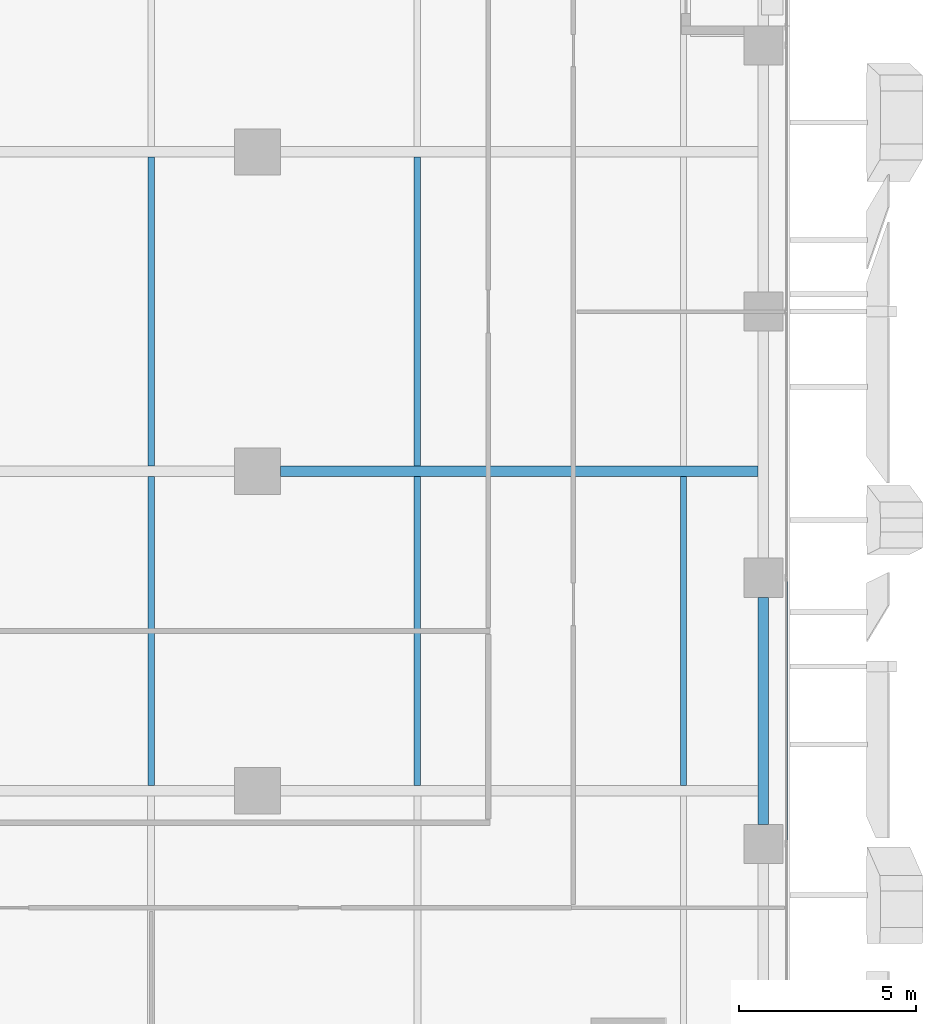
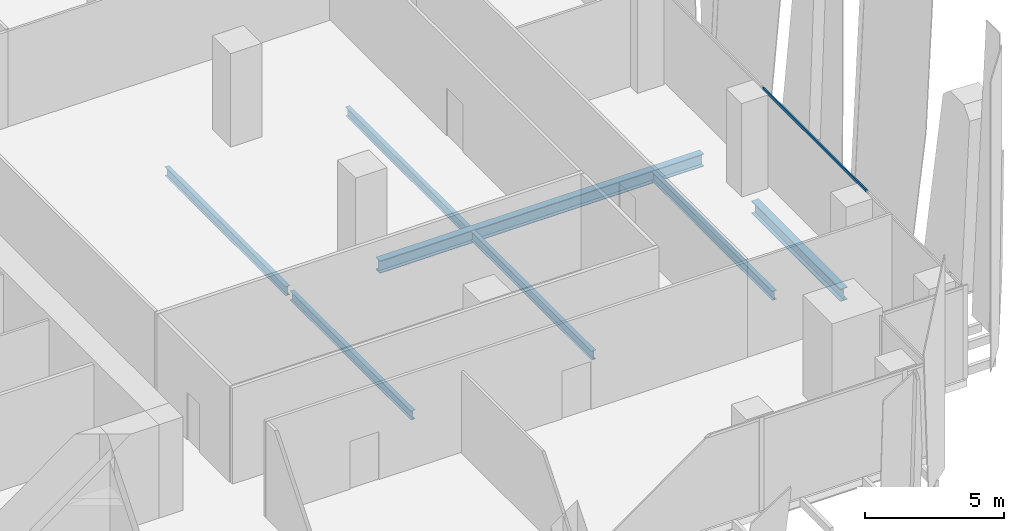
# One storey, part 10 of 35: 7 beams, 1 member, 1 element without a shape of its own.
"""IFC4 building model written with IfcOpenShell, lengths in metres."""

from ifc_helpers import new_model, si_unit, direction, frame, origin, origin_2d, place, context, subcontext, project, spatial, hollow_rectangle, i_section, extrude, source, transform, mapped, material, material_profile, profile_set, type_object, element, aggregate, save


model = new_model("IFC4")

# Units and contexts
model_context = context("Model", 3, precision=1e-05, world=origin(), true_north=direction((0.0, 1.0)))
body_context = subcontext(model_context, "Body", "Model", "MODEL_VIEW")
ifc_project = project(units=[si_unit("LENGTHUNIT", "METRE"), si_unit("AREAUNIT", "SQUARE_METRE"), si_unit("VOLUMEUNIT", "CUBIC_METRE"), si_unit("PLANEANGLEUNIT", "RADIAN"), si_unit("MASSUNIT", "GRAM", prefix="KILO")], contexts=[model_context])

# Site, building, storey
site_placement = place(None, origin())
site = spatial("IfcSite", under=ifc_project, at=site_placement, CompositionType="ELEMENT")
building_placement = place(site_placement, origin())
building = spatial("IfcBuilding", under=site, at=building_placement, Name="Khomas Fold Tower", CompositionType="ELEMENT")
storey_placement = place(building_placement, frame((0.0, 0.0, 127.89990234375)))
storey = spatial("IfcBuildingStorey", under=building, at=storey_placement, Name="L27", CompositionType="ELEMENT", Elevation=127.89990234375)

# Beams
ifc_material_1 = material(Name="Steel S355", Category="steel")
ifc_material_profile_1 = material_profile(ifc_material_1, i_section(OverallWidth=0.179931640625, OverallDepth=0.39990234375, WebThickness=0.008544921875, FlangeThickness=0.013427734375, at=origin_2d()), Name="IPE 400")
ifc_profile_set_1 = profile_set([ifc_material_profile_1], Name="Steel S355")
beam_type_1 = type_object("IfcBeamType", Name="IPE 400 beam JB3", PredefinedType="BEAM", material=ifc_profile_set_1)
shared_shape_1 = source(origin(), body_context, "Body", "SweptSolid", [
    extrude(i_section(OverallWidth=0.179931640625, OverallDepth=0.39990234375, WebThickness=0.008544921875, FlangeThickness=0.013427734375, at=origin_2d()), origin(), (0.0, 0.0, 1.0), 8.7001953125),
])
for number, where, z_axis, x_axis, name in (
    (1, (34.5, 13.64990234375, -0.5), (0.0, 1.0, 0.0), (-1.0, 0.0, 0.0), "JB3"),
    (2, (34.5, 22.64990234375, -0.5), (0.0, 1.0, 0.0), (-1.0, 0.0, 0.0), "JB3"),
    (3, (42.0, 13.64990234375, -0.5), (0.0, 1.0, 0.0), (-1.0, 0.0, 0.0), "JB3"),
    (4, (42.0, 22.64990234375, -0.5), (0.0, 1.0, 0.0), (-1.0, 0.0, 0.0), "JB3"),
    (5, (49.5, 13.64990234375, -0.5), (0.0, 1.0, 0.0), (-1.0, 0.0, 0.0), "JB3"),
):
    element("IfcBeam", number, at=place(storey_placement, frame(where, z_axis=z_axis, x_axis=x_axis)), inside=storey, type_object=beam_type_1, Name=name, PredefinedType="BEAM", context=body_context, shape_type="MappedRepresentation", body=[
        mapped(shared_shape_1, transform((0.0, 0.0, 0.0))),
    ])
ifc_material_2 = material(Name="Steel S355", Category="steel")
ifc_material_profile_2 = material_profile(ifc_material_2, i_section(OverallWidth=0.300048828125, OverallDepth=0.550048828125, WebThickness=0.014892578125, FlangeThickness=0.029052734375, at=origin_2d()), Name="HE 550 B")
ifc_profile_set_2 = profile_set([ifc_material_profile_2], Name="Steel S355")
beam_type_2 = type_object("IfcBeamType", Name="HE 550 B spandrel SB2", PredefinedType="SPANDREL", material=ifc_profile_set_2)
shared_shape_2 = source(origin(), body_context, "Body", "SweptSolid", [
    extrude(i_section(OverallWidth=0.300048828125, OverallDepth=0.550048828125, WebThickness=0.014892578125, FlangeThickness=0.029052734375, at=origin_2d()), origin(), (0.0, 0.0, 1.0), 6.39990234375),
])
beam_1_placement = place(storey_placement, frame((51.75, 12.550048828125, -0.574951171875), z_axis=(0.0, 1.0, 0.0), x_axis=(-1.0, 0.0, 0.0)))
element("IfcBeam", 6, at=beam_1_placement, inside=storey, type_object=beam_type_2, Name="SB2", PredefinedType="SPANDREL", context=body_context, shape_type="MappedRepresentation", body=[
    mapped(shared_shape_2, transform((0.0, 0.0, 0.0))),
])
ifc_material_3 = material(Name="Steel S355", Category="steel")
ifc_material_profile_3 = material_profile(ifc_material_3, i_section(OverallWidth=0.300048828125, OverallDepth=0.550048828125, WebThickness=0.014892578125, FlangeThickness=0.029052734375, at=origin_2d()), Name="HE 550 B")
ifc_profile_set_3 = profile_set([ifc_material_profile_3], Name="Steel S355")
beam_type_3 = type_object("IfcBeamType", Name="HE 550 B beam GB4", PredefinedType="BEAM", material=ifc_profile_set_3)
shared_shape_3 = source(origin(), body_context, "Body", "SweptSolid", [
    extrude(i_section(OverallWidth=0.300048828125, OverallDepth=0.550048828125, WebThickness=0.014892578125, FlangeThickness=0.029052734375, at=origin_2d()), origin(), (0.0, 0.0, 1.0), 13.4501953125),
])
beam_2_placement = place(storey_placement, frame((38.14990234375, 22.5, -0.574951171875), z_axis=(1.0, 0.0, 0.0), x_axis=(0.0, 1.0, 0.0)))
element("IfcBeam", 7, at=beam_2_placement, inside=storey, type_object=beam_type_3, Name="GB4", PredefinedType="BEAM", context=body_context, shape_type="MappedRepresentation", body=[
    mapped(shared_shape_3, transform((0.0, 0.0, 0.0))),
])

# Curtain wall, member
ifc_material_4 = material(Name="Aluminium framed double glazing", Category="aluminium")
curtain_wall_type = type_object("IfcCurtainWallType", Name="SK-Unitised clear-glass wall, growing floors CW1", PredefinedType="NOTDEFINED", material=ifc_material_4)
curtain_wall_placement = place(storey_placement, origin())
curtain_wall = element("IfcCurtainWall", 8, at=curtain_wall_placement, inside=storey, type_object=curtain_wall_type, Name="CW1 run L27 03-0", PredefinedType="NOTDEFINED")
ifc_material_5 = material(Name="Aluminium", Category="aluminium")
ifc_material_profile_4 = material_profile(ifc_material_5, hollow_rectangle(XDim=0.06005859375, YDim=0.1201171875, WallThickness=0.00390625, at=origin_2d()), Name="SK-Unitised clear-glass wall, growing floors transom CW1-T")
ifc_profile_set_4 = profile_set([ifc_material_profile_4], Name="Aluminium")
member_type = type_object("IfcMemberType", Name="SK-Unitised clear-glass wall, growing floors transom CW1-T", PredefinedType="USERDEFINED", material=ifc_profile_set_4)
shared_shape_4 = source(origin(), body_context, "Body", "SweptSolid", [
    extrude(hollow_rectangle(XDim=0.06005859375, YDim=0.1201171875, WallThickness=0.00390625, at=origin_2d()), origin(), (0.0, 0.0, 1.0), 7.43994140625),
])
member_placement = place(storey_placement, frame((52.39990234375, 12.030029296875, 4.0400390625), z_axis=(0.0, 1.0, 0.0), x_axis=(-1.0, 0.0, 0.0)))
member = element("IfcMember", 9, at=member_placement, type_object=member_type, Name="CW1 transom 3", ObjectType="TRANSOM", PredefinedType="USERDEFINED", context=body_context, shape_type="MappedRepresentation", body=[
    mapped(shared_shape_4, transform((0.0, 0.0, 0.0))),
])
aggregate(curtain_wall, [member])

save(model, "model.ifc")
